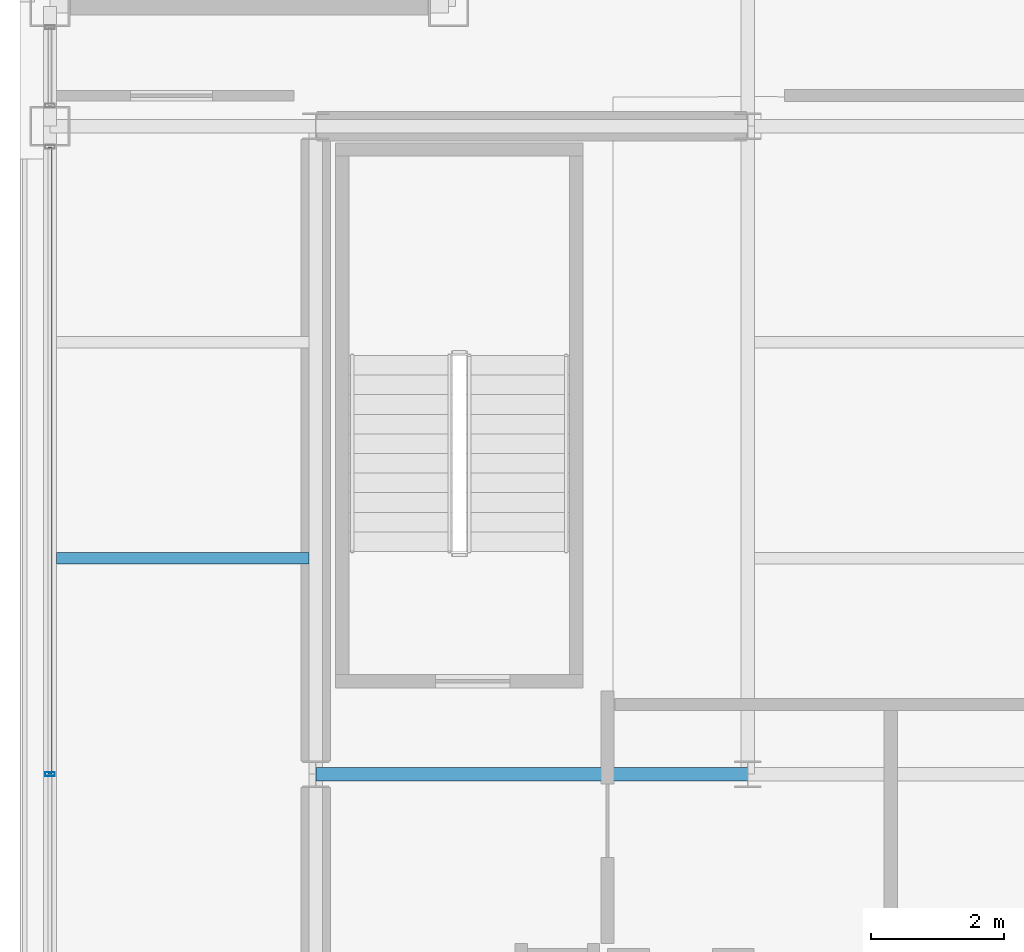
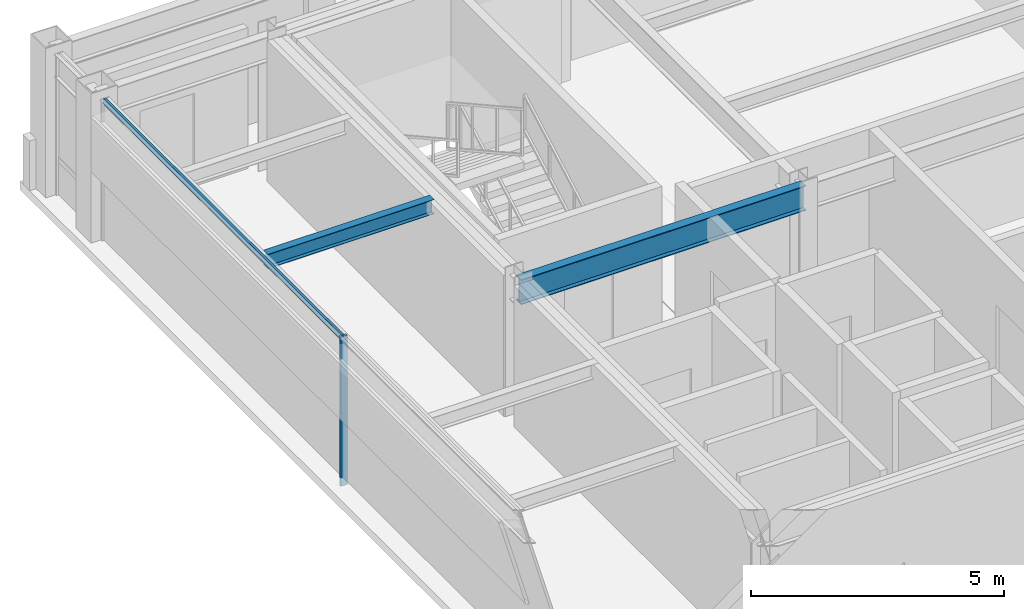
# One storey, part 6 of 20: 2 beams, 2 members, 1 element without a shape of its own.
"""IFC4 building model written with IfcOpenShell, lengths in metres."""

from ifc_helpers import new_model, si_unit, direction, frame, origin, origin_2d, place, context, subcontext, project, spatial, hollow_rectangle, i_section, extrude, material, layer, layer_set, material_profile, profile_set, type_object, element, aggregate, save


model = new_model("IFC4")

# Units and contexts
model_context = context("Model", 3, precision=1e-05, world=origin(), true_north=direction((0.0, 1.0)))
body_context = subcontext(model_context, "Body", "Model", "MODEL_VIEW")
ifc_project = project(units=[si_unit("LENGTHUNIT", "METRE"), si_unit("AREAUNIT", "SQUARE_METRE"), si_unit("VOLUMEUNIT", "CUBIC_METRE"), si_unit("PLANEANGLEUNIT", "RADIAN"), si_unit("MASSUNIT", "GRAM", prefix="KILO")], contexts=[model_context])

# Site, building, storey
site_placement = place(None, origin())
site = spatial("IfcSite", under=ifc_project, at=site_placement, CompositionType="ELEMENT")
building_placement = place(site_placement, origin())
building = spatial("IfcBuilding", under=site, at=building_placement, Name="Brelmoor Portico Tower", CompositionType="ELEMENT")
storey_placement = place(building_placement, frame((0.0, 0.0, 272.39990234375)))
storey = spatial("IfcBuildingStorey", under=building, at=storey_placement, Name="L72", CompositionType="ELEMENT", Elevation=272.39990234375)

# Beams
ifc_material_1 = material(Name="Steel Q355B", Category="steel")
ifc_material_profile_1 = material_profile(ifc_material_1, i_section(OverallWidth=0.175048828125, OverallDepth=0.35009765625, WebThickness=0.007080078125, FlangeThickness=0.010986328125, at=origin_2d()), Name="HN 350x175x7x11")
ifc_profile_set_1 = profile_set([ifc_material_profile_1], Name="Steel Q355B")
beam_type_1 = type_object("IfcBeamType", Name="BM-JS-350", PredefinedType="JOIST", material=ifc_profile_set_1)
beam_1_placement = place(storey_placement, frame((-18.449951171875, 3.25, 3.22509765625), z_axis=(1.0, 0.0, 0.0), x_axis=(0.0, 1.0, 0.0)))
element("IfcBeam", 1, at=beam_1_placement, inside=storey, type_object=beam_type_1, Name="L72 Secondary Wing Joist JS-W09", PredefinedType="JOIST", context=body_context, shape_type="SweptSolid", body=[
    extrude(i_section(OverallWidth=0.175048828125, OverallDepth=0.35009765625, WebThickness=0.007080078125, FlangeThickness=0.010986328125, at=origin_2d()), origin(), (0.0, 0.0, 1.0), 3.800048828125),
])
ifc_material_profile_2 = material_profile(ifc_material_1, i_section(OverallWidth=0.199951171875, OverallDepth=0.60009765625, WebThickness=0.010986328125, FlangeThickness=0.01708984375, at=origin_2d()), Name="HN 600x200x11x17")
ifc_profile_set_2 = profile_set([ifc_material_profile_2], Name="Steel Q355B")
beam_type_2 = type_object("IfcBeamType", Name="BM-PG-600", PredefinedType="BEAM", material=ifc_profile_set_2)
beam_2_placement = place(storey_placement, frame((-14.550048828125, 0.0, 3.10009765625), z_axis=(1.0, 0.0, 0.0), x_axis=(0.0, 1.0, 0.0)))
element("IfcBeam", 2, at=beam_2_placement, inside=storey, type_object=beam_type_2, Name="L72 Primary Floor Girder PG-16", PredefinedType="BEAM", context=body_context, shape_type="SweptSolid", body=[
    extrude(i_section(OverallWidth=0.199951171875, OverallDepth=0.60009765625, WebThickness=0.010986328125, FlangeThickness=0.01708984375, at=origin_2d()), origin(), (0.0, 0.0, 1.0), 6.5),
])

# Curtain wall, members
ifc_material_2 = material(Name="Anodised Aluminium Alloy 6063-T6", Category="aluminium")
ifc_layer = layer(ifc_material_2, 0.179931640625)
ifc_layer_set = layer_set([ifc_layer], Name="Anodised Aluminium Alloy 6063-T6")
curtain_wall_type = type_object("IfcCurtainWallType", Name="CW-TOWER-Z4-XB", PredefinedType="NOTDEFINED", material=ifc_layer_set)
curtain_wall_placement = place(storey_placement, origin())
curtain_wall = element("IfcCurtainWall", 3, at=curtain_wall_placement, inside=storey, type_object=curtain_wall_type, Name="L72 Curtain Wall CW-L72-03-2", PredefinedType="NOTDEFINED")
ifc_material_profile_3 = material_profile(ifc_material_2, hollow_rectangle(XDim=0.06005859375, YDim=0.14990234375, WallThickness=0.00390625, at=origin_2d()), Name="ALU MULLION 60x150")
ifc_profile_set_3 = profile_set([ifc_material_profile_3], Name="Anodised Aluminium Alloy 6063-T6")
member_type_1 = type_object("IfcMemberType", Name="MB-CW-MULL-150", PredefinedType="MULLION", material=ifc_profile_set_3)
member_1_placement = place(storey_placement, frame((-18.550048828125, 0.0, -0.199951171875), z_axis=(0.0, 0.0, 1.0), x_axis=(0.0, 1.0, 0.0)))
member_1 = element("IfcMember", 4, at=member_1_placement, type_object=member_type_1, Name="CW-L72-03-2 Mullion 01", PredefinedType="MULLION", context=body_context, shape_type="SweptSolid", body=[
    extrude(hollow_rectangle(XDim=0.06005859375, YDim=0.14990234375, WallThickness=0.00390625, at=origin_2d()), origin(), (0.0, 0.0, 1.0), 3.60009765625),
])
ifc_material_profile_4 = material_profile(ifc_material_2, hollow_rectangle(XDim=0.06005859375, YDim=0.125, WallThickness=0.00341796875, at=origin_2d()), Name="ALU TRANSOM 60x125")
ifc_profile_set_4 = profile_set([ifc_material_profile_4], Name="Anodised Aluminium Alloy 6063-T6")
member_type_2 = type_object("IfcMemberType", Name="MB-CW-TRAN-125", PredefinedType="USERDEFINED", material=ifc_profile_set_4)
member_2_placement = place(storey_placement, frame((-18.550048828125, 0.0, 3.337646484375), z_axis=(0.0, 1.0, 0.0), x_axis=(-1.0, 0.0, 0.0)))
member_2 = element("IfcMember", 5, at=member_2_placement, type_object=member_type_2, Name="CW-L72-03-2 Transom 1-01", ObjectType="TRANSOM", PredefinedType="USERDEFINED", context=body_context, shape_type="SweptSolid", body=[
    extrude(hollow_rectangle(XDim=0.06005859375, YDim=0.125, WallThickness=0.00341796875, at=origin_2d()), origin(), (0.0, 0.0, 1.0), 9.43994140625),
])
aggregate(curtain_wall, [member_1, member_2])

save(model, "model.ifc")
